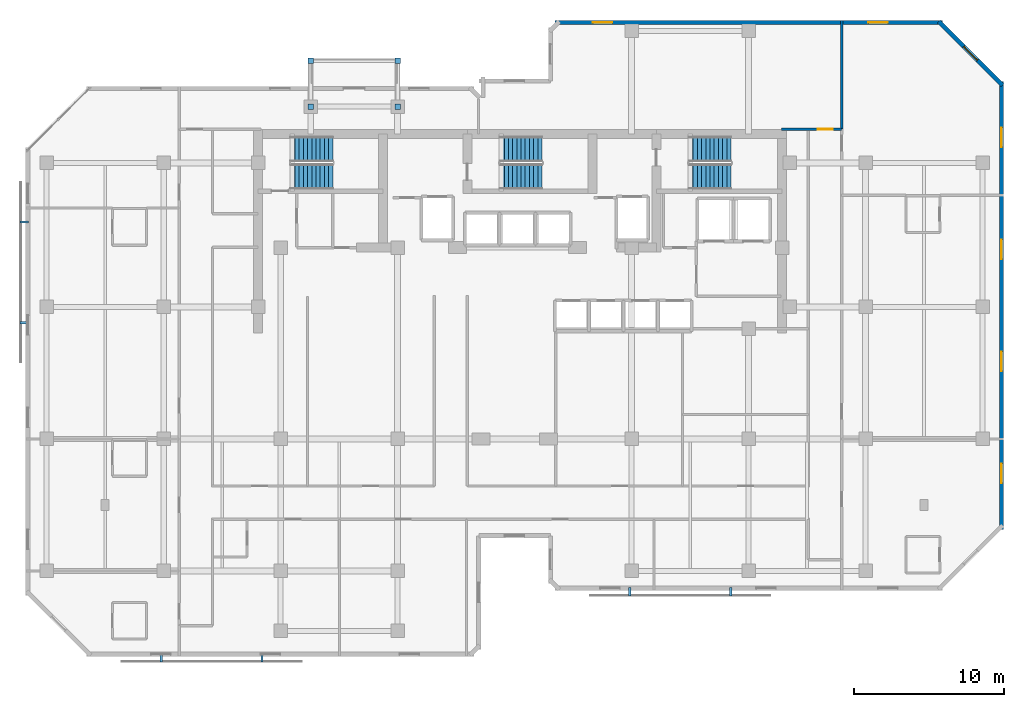
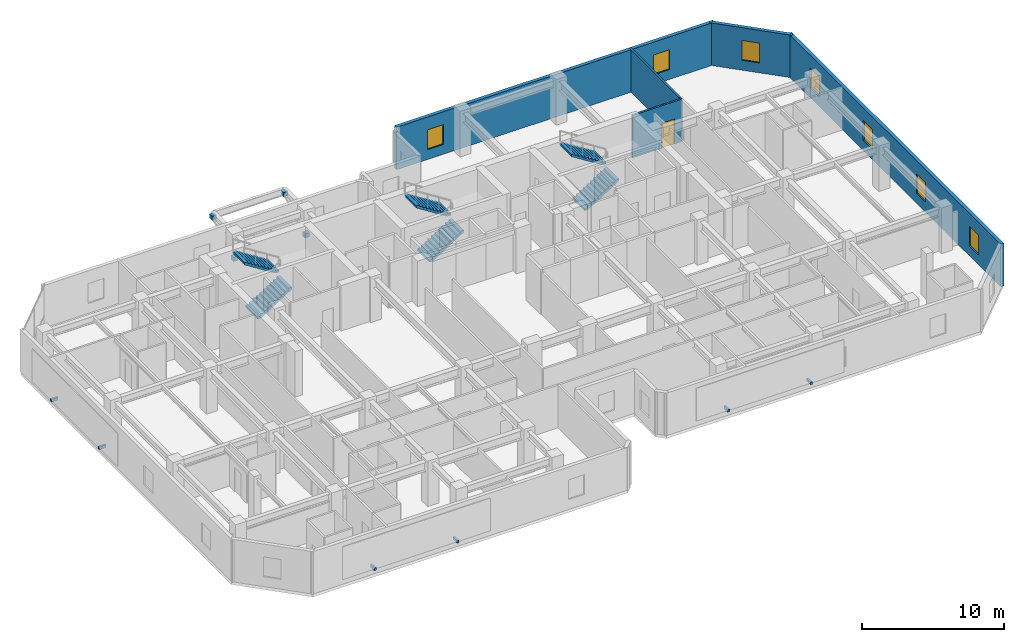
# One storey, part 8 of 10: 10 discrete accessories, 7 windows, 6 stair flights, 5 walls, 1 door, 8 openings, 3 elements without a shape of their own.
"""IFC4 building model written with IfcOpenShell, lengths in metres."""

from ifc_helpers import new_model, si_unit, direction, frame, frame_2d, origin, origin_2d, place, context, subcontext, project, spatial, polyline, rectangle, outline, extrude, material, layer, layer_set, type_object, element, fill, aggregate, save


model = new_model("IFC4")

# Units and contexts
model_context = context("Model", 3, precision=1e-05, world=origin(), true_north=direction((0.0, 1.0)))
body_context = subcontext(model_context, "Body", "Model", "MODEL_VIEW")
ifc_project = project(units=[si_unit("LENGTHUNIT", "METRE"), si_unit("AREAUNIT", "SQUARE_METRE"), si_unit("VOLUMEUNIT", "CUBIC_METRE"), si_unit("PLANEANGLEUNIT", "RADIAN"), si_unit("MASSUNIT", "GRAM", prefix="KILO")], contexts=[model_context])

# Site, building, storey
site_placement = place(None, origin())
site = spatial("IfcSite", under=ifc_project, at=site_placement, CompositionType="ELEMENT")
building_placement = place(site_placement, origin())
building = spatial("IfcBuilding", under=site, at=building_placement, Name="Kestravale Grand Hotel", CompositionType="ELEMENT")
storey_placement = place(building_placement, frame((0.0, 0.0, 212.39990234375)))
storey = spatial("IfcBuildingStorey", under=building, at=storey_placement, Name="L53", CompositionType="ELEMENT", Elevation=212.39990234375)

# Wall, openings, windows
ifc_material_1 = material(Name="Precast concrete f'c 45 MPa", Category="concrete")
ifc_layer_1 = layer(ifc_material_1, 0.280029296875)
ifc_layer_set_1 = layer_set([ifc_layer_1], Name="EW-PREC-280")
wall_type_1 = type_object("IfcWallType", Name="EW-PREC-280", PredefinedType="SOLIDWALL", material=ifc_layer_set_1)
wall_1_placement = place(storey_placement, frame((71.4599609375, 13.9599609375, 0.0), z_axis=(0.0, 0.0, 1.0), x_axis=(0.0, 1.0, 0.0)))
wall_1 = element("IfcWall", 1, at=wall_1_placement, inside=storey, type_object=wall_type_1, Name="L53 fluted precast facade wall 9", PredefinedType="SOLIDWALL", context=body_context, shape_type="SweptSolid", body=[
    extrude(rectangle(XDim=29.880126953125, YDim=0.280029296875, at=frame_2d((14.93994140625, 0.0))), origin(), (0.0, 0.0, 1.0), 3.650146484375),
])
opening_1_placement = place(wall_1_placement, frame((3.0849609375, 0.0, 0.85009765625)))
opening_1 = element("IfcOpeningElement", 2, at=opening_1_placement, cuts=wall_1, Name="Opening W-GUEST-1300", PredefinedType="OPENING", context=body_context, shape_type="SweptSolid", body=[
    extrude(rectangle(XDim=1.300048828125, YDim=1.699951171875, at=frame_2d((0.64990234375, 0.85009765625))), frame((0.0, 0.14990234375, 0.0), z_axis=(0.0, -1.0, 0.0), x_axis=(1.0, 0.0, 0.0)), (0.0, 0.0, 1.0), 0.300048828125),
])
opening_2_placement = place(wall_1_placement, frame((10.554931640625, 0.0, 0.85009765625)))
opening_2 = element("IfcOpeningElement", 3, at=opening_2_placement, cuts=wall_1, Name="Opening W-GUEST-1300", PredefinedType="OPENING", context=body_context, shape_type="SweptSolid", body=[
    extrude(rectangle(XDim=1.300048828125, YDim=1.699951171875, at=frame_2d((0.64990234375, 0.85009765625))), frame((0.0, 0.14990234375, 0.0), z_axis=(0.0, -1.0, 0.0), x_axis=(1.0, 0.0, 0.0)), (0.0, 0.0, 1.0), 0.300048828125),
])
opening_3_placement = place(wall_1_placement, frame((18.02490234375, 0.0, 0.85009765625)))
opening_3 = element("IfcOpeningElement", 4, at=opening_3_placement, cuts=wall_1, Name="Opening W-GUEST-1300", PredefinedType="OPENING", context=body_context, shape_type="SweptSolid", body=[
    extrude(rectangle(XDim=1.300048828125, YDim=1.699951171875, at=frame_2d((0.64990234375, 0.85009765625))), frame((0.0, 0.14990234375, 0.0), z_axis=(0.0, -1.0, 0.0), x_axis=(1.0, 0.0, 0.0)), (0.0, 0.0, 1.0), 0.300048828125),
])
opening_4_placement = place(wall_1_placement, frame((25.4951171875, 0.0, 0.85009765625)))
opening_4 = element("IfcOpeningElement", 5, at=opening_4_placement, cuts=wall_1, Name="Opening W-GUEST-1300", PredefinedType="OPENING", context=body_context, shape_type="SweptSolid", body=[
    extrude(rectangle(XDim=1.300048828125, YDim=1.699951171875, at=frame_2d((0.64990234375, 0.85009765625))), frame((0.0, 0.14990234375, 0.0), z_axis=(0.0, -1.0, 0.0), x_axis=(1.0, 0.0, 0.0)), (0.0, 0.0, 1.0), 0.300048828125),
])
ifc_material_2 = material(Name="Insulated low-E double glazing in aluminium frame", Category="aluminium")
window_type = type_object("IfcWindowType", Name="W-GUEST-1300", PartitioningType="SINGLE_PANEL", PredefinedType="WINDOW", material=ifc_material_2)
window_1_placement = place(opening_1_placement, origin())
window_1 = element("IfcWindow", 6, at=window_1_placement, inside=storey, type_object=window_type, Name="L53 exterior window 9.1", OverallHeight=1.699951171875, OverallWidth=1.300048828125, PartitioningType="SINGLE_PANEL", PredefinedType="WINDOW", context=body_context, shape_type="SweptSolid", body=[
    extrude(rectangle(XDim=1.300048828125, YDim=1.699951171875, at=frame_2d((0.64990234375, 0.85009765625))), frame((0.0, 0.030029296875, 0.0), z_axis=(0.0, -1.0, 0.0), x_axis=(1.0, 0.0, 0.0)), (0.0, 0.0, 1.0), 0.06005859375),
])
fill(opening_1, window_1)
window_2_placement = place(opening_2_placement, origin())
window_2 = element("IfcWindow", 7, at=window_2_placement, inside=storey, type_object=window_type, Name="L53 exterior window 9.2", OverallHeight=1.699951171875, OverallWidth=1.300048828125, PartitioningType="SINGLE_PANEL", PredefinedType="WINDOW", context=body_context, shape_type="SweptSolid", body=[
    extrude(rectangle(XDim=1.300048828125, YDim=1.699951171875, at=frame_2d((0.64990234375, 0.85009765625))), frame((0.0, 0.030029296875, 0.0), z_axis=(0.0, -1.0, 0.0), x_axis=(1.0, 0.0, 0.0)), (0.0, 0.0, 1.0), 0.06005859375),
])
fill(opening_2, window_2)
window_3_placement = place(opening_3_placement, origin())
window_3 = element("IfcWindow", 8, at=window_3_placement, inside=storey, type_object=window_type, Name="L53 exterior window 9.3", OverallHeight=1.699951171875, OverallWidth=1.300048828125, PartitioningType="SINGLE_PANEL", PredefinedType="WINDOW", context=body_context, shape_type="SweptSolid", body=[
    extrude(rectangle(XDim=1.300048828125, YDim=1.699951171875, at=frame_2d((0.64990234375, 0.85009765625))), frame((0.0, 0.030029296875, 0.0), z_axis=(0.0, -1.0, 0.0), x_axis=(1.0, 0.0, 0.0)), (0.0, 0.0, 1.0), 0.06005859375),
])
fill(opening_3, window_3)
window_4_placement = place(opening_4_placement, origin())
window_4 = element("IfcWindow", 9, at=window_4_placement, inside=storey, type_object=window_type, Name="L53 exterior window 9.4", OverallHeight=1.699951171875, OverallWidth=1.300048828125, PartitioningType="SINGLE_PANEL", PredefinedType="WINDOW", context=body_context, shape_type="SweptSolid", body=[
    extrude(rectangle(XDim=1.300048828125, YDim=1.699951171875, at=frame_2d((0.64990234375, 0.85009765625))), frame((0.0, 0.030029296875, 0.0), z_axis=(0.0, -1.0, 0.0), x_axis=(1.0, 0.0, 0.0)), (0.0, 0.0, 1.0), 0.06005859375),
])
fill(opening_4, window_4)

# Wall, opening, window
wall_2_placement = place(storey_placement, frame((71.529296875, 43.57275390625, 0.0), z_axis=(0.0, 0.0, 1.0), x_axis=(-0.707106781187, 0.707106781187, 0.0)))
wall_2 = element("IfcWall", 10, at=wall_2_placement, inside=storey, type_object=wall_type_1, Name="L53 fluted precast facade wall 10", PredefinedType="SOLIDWALL", context=body_context, shape_type="SweptSolid", body=[
    extrude(rectangle(XDim=6.019775390625, YDim=0.280029296875, at=frame_2d((3.009765625, 0.0))), origin(), (0.0, 0.0, 1.0), 3.650146484375),
])
opening_5_placement = place(wall_2_placement, frame((2.35986328125, 0.0, 0.85009765625)))
opening_5 = element("IfcOpeningElement", 11, at=opening_5_placement, cuts=wall_2, Name="Opening W-GUEST-1300", PredefinedType="OPENING", context=body_context, shape_type="SweptSolid", body=[
    extrude(rectangle(XDim=1.300048828125, YDim=1.699951171875, at=frame_2d((0.64990234375, 0.85009765625))), frame((0.0, 0.14990234375, 0.0), z_axis=(0.0, -1.0, 0.0), x_axis=(1.0, 0.0, 0.0)), (0.0, 0.0, 1.0), 0.300048828125),
])
window_5_placement = place(opening_5_placement, origin())
window_5 = element("IfcWindow", 12, at=window_5_placement, inside=storey, type_object=window_type, Name="L53 exterior window 10.1", OverallHeight=1.699951171875, OverallWidth=1.300048828125, PartitioningType="SINGLE_PANEL", PredefinedType="WINDOW", context=body_context, shape_type="SweptSolid", body=[
    extrude(rectangle(XDim=1.300048828125, YDim=1.699951171875, at=frame_2d((0.64990234375, 0.85009765625))), frame((0.0, 0.030029296875, 0.0), z_axis=(0.0, -1.0, 0.0), x_axis=(1.0, 0.0, 0.0)), (0.0, 0.0, 1.0), 0.06005859375),
])
fill(opening_5, window_5)

# Wall, openings, windows
wall_3_placement = place(storey_placement, frame((67.5400390625, 47.760009765625, 0.0), z_axis=(0.0, 0.0, 1.0), x_axis=(-1.0, 0.0, 0.0)))
wall_3 = element("IfcWall", 13, at=wall_3_placement, inside=storey, type_object=wall_type_1, Name="L53 fluted precast facade wall 11", PredefinedType="SOLIDWALL", context=body_context, shape_type="SweptSolid", body=[
    extrude(rectangle(XDim=25.830078125, YDim=0.280029296875, at=frame_2d((12.9150390625, 0.0))), origin(), (0.0, 0.0, 1.0), 3.650146484375),
])
opening_6_placement = place(wall_3_placement, frame((3.655029296875, 0.0, 0.85009765625)))
opening_6 = element("IfcOpeningElement", 14, at=opening_6_placement, cuts=wall_3, Name="Opening W-GUEST-1300", PredefinedType="OPENING", context=body_context, shape_type="SweptSolid", body=[
    extrude(rectangle(XDim=1.300048828125, YDim=1.699951171875, at=frame_2d((0.64990234375, 0.85009765625))), frame((0.0, 0.14990234375, 0.0), z_axis=(0.0, -1.0, 0.0), x_axis=(1.0, 0.0, 0.0)), (0.0, 0.0, 1.0), 0.300048828125),
])
opening_7_placement = place(wall_3_placement, frame((22.02490234375, 0.0, 0.85009765625)))
opening_7 = element("IfcOpeningElement", 15, at=opening_7_placement, cuts=wall_3, Name="Opening W-GUEST-1300", PredefinedType="OPENING", context=body_context, shape_type="SweptSolid", body=[
    extrude(rectangle(XDim=1.300048828125, YDim=1.699951171875, at=frame_2d((0.64990234375, 0.85009765625))), frame((0.0, 0.14990234375, 0.0), z_axis=(0.0, -1.0, 0.0), x_axis=(1.0, 0.0, 0.0)), (0.0, 0.0, 1.0), 0.300048828125),
])
window_6_placement = place(opening_6_placement, origin())
window_6 = element("IfcWindow", 16, at=window_6_placement, inside=storey, type_object=window_type, Name="L53 exterior window 11.1", OverallHeight=1.699951171875, OverallWidth=1.300048828125, PartitioningType="SINGLE_PANEL", PredefinedType="WINDOW", context=body_context, shape_type="SweptSolid", body=[
    extrude(rectangle(XDim=1.300048828125, YDim=1.699951171875, at=frame_2d((0.64990234375, 0.85009765625))), frame((0.0, 0.030029296875, 0.0), z_axis=(0.0, -1.0, 0.0), x_axis=(1.0, 0.0, 0.0)), (0.0, 0.0, 1.0), 0.06005859375),
])
fill(opening_6, window_6)
window_7_placement = place(opening_7_placement, origin())
window_7 = element("IfcWindow", 17, at=window_7_placement, inside=storey, type_object=window_type, Name="L53 exterior window 11.2", OverallHeight=1.699951171875, OverallWidth=1.300048828125, PartitioningType="SINGLE_PANEL", PredefinedType="WINDOW", context=body_context, shape_type="SweptSolid", body=[
    extrude(rectangle(XDim=1.300048828125, YDim=1.699951171875, at=frame_2d((0.64990234375, 0.85009765625))), frame((0.0, 0.030029296875, 0.0), z_axis=(0.0, -1.0, 0.0), x_axis=(1.0, 0.0, 0.0)), (0.0, 0.0, 1.0), 0.06005859375),
])
fill(opening_7, window_7)

# Wall, opening, door
ifc_material_3 = material(Name="Double-stud STC 52 acoustic demising partition", Category="other")
ifc_layer_2 = layer(ifc_material_3, 0.14990234375)
ifc_layer_set_2 = layer_set([ifc_layer_2], Name="IW-UNIT-150")
wall_type_2 = type_object("IfcWallType", Name="IW-UNIT-150", PredefinedType="PARTITIONING", material=ifc_layer_set_2)
wall_4_placement = place(storey_placement, frame((56.800048828125, 40.64990234375, 0.0), z_axis=(0.0, 0.0, 1.0), x_axis=(1.0, 0.0, 0.0)))
wall_4 = element("IfcWall", 18, at=wall_4_placement, inside=storey, type_object=wall_type_2, Name="W-L53-SE-N", PredefinedType="PARTITIONING", context=body_context, shape_type="SweptSolid", body=[
    extrude(rectangle(XDim=4.010009765625, YDim=0.14990234375, at=frame_2d((2.0048828125, 0.0))), origin(), (0.0, 0.0, 1.0), 3.650146484375),
])
opening_8_placement = place(wall_4_placement, frame((2.39990234375, 0.0, 0.0)))
opening_8 = element("IfcOpeningElement", 19, at=opening_8_placement, cuts=wall_4, Name="Opening D-GUEST-1000", PredefinedType="OPENING", context=body_context, shape_type="SweptSolid", body=[
    extrude(rectangle(XDim=1.0, YDim=2.14990234375, at=frame_2d((0.5, 1.074951171875))), frame((0.0, 0.0849609375, 0.0), z_axis=(0.0, -1.0, 0.0), x_axis=(1.0, 0.0, 0.0)), (0.0, 0.0, 1.0), 0.169921875),
])
ifc_material_4 = material(Name="Accessible walnut veneer hotel entrance fire door", Category="wood")
door_type = type_object("IfcDoorType", Name="D-GUEST-1000", OperationType="NOTDEFINED", PredefinedType="DOOR", material=ifc_material_4)
door_placement = place(opening_8_placement, origin())
door = element("IfcDoor", 20, at=door_placement, inside=storey, type_object=door_type, Name="L53 NE Gallery Door", OperationType="SINGLE_SWING_LEFT", OverallHeight=2.14990234375, OverallWidth=1.0, PredefinedType="DOOR", context=body_context, shape_type="SweptSolid", body=[
    extrude(rectangle(XDim=1.0, YDim=2.14990234375, at=frame_2d((0.5, 1.074951171875))), frame((0.0, 0.02490234375, 0.0), z_axis=(0.0, -1.0, 0.0), x_axis=(1.0, 0.0, 0.0)), (0.0, 0.0, 1.0), 0.050048828125),
])
fill(opening_8, door)

# Wall
wall_5_placement = place(storey_placement, frame((60.81005859375, 40.64990234375, 0.0), z_axis=(0.0, 0.0, 1.0), x_axis=(0.0, 1.0, 0.0)))
element("IfcWall", 21, at=wall_5_placement, inside=storey, type_object=wall_type_2, Name="W-L53-NGE-E", PredefinedType="PARTITIONING", context=body_context, shape_type="SweptSolid", body=[
    extrude(rectangle(XDim=7.22998046875, YDim=0.14990234375, at=frame_2d((3.614990234375, 0.0))), origin(), (0.0, 0.0, 1.0), 3.650146484375),
])

# Stair, stair flights
ifc_material_5 = material(Name="Concrete f'c 45 MPa", Category="concrete")
stair_type = type_object("IfcStairType", Name="ST-CORE-390", PredefinedType="HALF_TURN_STAIR", material=ifc_material_5)
stair_1_placement = place(storey_placement, origin())
stair_1 = element("IfcStair", 22, at=stair_1_placement, inside=storey, type_object=stair_type, Name="L53 ST-1", PredefinedType="HALF_TURN_STAIR")
ifc_material_6 = material(Name="Concrete f'c 45 MPa", Category="concrete")
stair_flight_type = type_object("IfcStairFlightType", Name="STF-CORE-390", PredefinedType="STRAIGHT", material=ifc_material_6)
stair_flight_1_placement = place(storey_placement, frame((24.080078125, 37.489990234375, 0.0), z_axis=(0.0, 0.0, 1.0), x_axis=(1.0, 0.0, 0.0)))
stair_flight_1 = element("IfcStairFlight", 23, at=stair_flight_1_placement, type_object=stair_flight_type, Name="ST-1 flight 1", NumberOfRisers=11, NumberOfTreads=10, PredefinedType="STRAIGHT", RiserHeight=0.177272727, TreadLength=0.28, context=body_context, shape_type="SweptSolid", body=[
    extrude(outline(polyline([(0.0, 0.0), (0.0, 0.17724609375), (0.280029296875, 0.17724609375), (0.280029296875, 0.3544921875), (0.56005859375, 0.3544921875), (0.56005859375, 0.53173828125), (0.840087890625, 0.53173828125), (0.840087890625, 0.708984375), (1.1201171875, 0.708984375), (1.1201171875, 0.886474609375), (1.39990234375, 0.886474609375), (1.39990234375, 1.063720703125), (1.679931640625, 1.063720703125), (1.679931640625, 1.240966796875), (1.9599609375, 1.240966796875), (1.9599609375, 1.418212890625), (2.239990234375, 1.418212890625), (2.239990234375, 1.595458984375), (2.52001953125, 1.595458984375), (2.52001953125, 1.772705078125), (2.800048828125, 1.772705078125), (2.800048828125, 1.949951171875), (2.800048828125, 1.59521484375), (0.2802734375, 0.0), (0.0, 0.0)])), frame((0.0, 0.83984375, 0.0), z_axis=(0.0, -1.0, 0.0), x_axis=(1.0, 0.0, 0.0)), (0.0, 0.0, 1.0), 1.679931640625),
])
stair_flight_2_placement = place(storey_placement, frame((26.8798828125, 39.320068359375, 1.9501953125), z_axis=(0.0, 0.0, 1.0), x_axis=(-1.0, 0.0, 0.0)))
stair_flight_2 = element("IfcStairFlight", 24, at=stair_flight_2_placement, type_object=stair_flight_type, Name="ST-1 flight 2", NumberOfRisers=11, NumberOfTreads=10, PredefinedType="STRAIGHT", RiserHeight=0.177272727, TreadLength=0.28, context=body_context, shape_type="SweptSolid", body=[
    extrude(outline(polyline([(0.0, 0.0), (0.0, 0.17724609375), (0.280029296875, 0.17724609375), (0.280029296875, 0.3544921875), (0.56005859375, 0.3544921875), (0.56005859375, 0.53173828125), (0.840087890625, 0.53173828125), (0.840087890625, 0.708984375), (1.1201171875, 0.708984375), (1.1201171875, 0.886474609375), (1.39990234375, 0.886474609375), (1.39990234375, 1.063720703125), (1.679931640625, 1.063720703125), (1.679931640625, 1.240966796875), (1.9599609375, 1.240966796875), (1.9599609375, 1.418212890625), (2.239990234375, 1.418212890625), (2.239990234375, 1.595458984375), (2.52001953125, 1.595458984375), (2.52001953125, 1.772705078125), (2.800048828125, 1.772705078125), (2.800048828125, 1.949951171875), (2.800048828125, 1.59521484375), (0.2802734375, 0.0), (0.0, 0.0)])), frame((0.0, 0.83984375, 0.0), z_axis=(0.0, -1.0, 0.0), x_axis=(1.0, 0.0, 0.0)), (0.0, 0.0, 1.0), 1.679931640625),
])
aggregate(stair_1, [stair_flight_1, stair_flight_2])

stair_2_placement = place(storey_placement, origin())
stair_2 = element("IfcStair", 25, at=stair_2_placement, inside=storey, type_object=stair_type, Name="L53 ST-2", PredefinedType="HALF_TURN_STAIR")
stair_flight_3_placement = place(storey_placement, frame((38.030029296875, 37.489990234375, 0.0), z_axis=(0.0, 0.0, 1.0), x_axis=(1.0, 0.0, 0.0)))
stair_flight_3 = element("IfcStairFlight", 26, at=stair_flight_3_placement, type_object=stair_flight_type, Name="ST-2 flight 1", NumberOfRisers=11, NumberOfTreads=10, PredefinedType="STRAIGHT", RiserHeight=0.177272727, TreadLength=0.28, context=body_context, shape_type="SweptSolid", body=[
    extrude(outline(polyline([(0.0, 0.0), (0.0, 0.17724609375), (0.280029296875, 0.17724609375), (0.280029296875, 0.3544921875), (0.56005859375, 0.3544921875), (0.56005859375, 0.53173828125), (0.840087890625, 0.53173828125), (0.840087890625, 0.708984375), (1.1201171875, 0.708984375), (1.1201171875, 0.886474609375), (1.39990234375, 0.886474609375), (1.39990234375, 1.063720703125), (1.679931640625, 1.063720703125), (1.679931640625, 1.240966796875), (1.9599609375, 1.240966796875), (1.9599609375, 1.418212890625), (2.239990234375, 1.418212890625), (2.239990234375, 1.595458984375), (2.52001953125, 1.595458984375), (2.52001953125, 1.772705078125), (2.800048828125, 1.772705078125), (2.800048828125, 1.949951171875), (2.800048828125, 1.59521484375), (0.2802734375, 0.0), (0.0, 0.0)])), frame((0.0, 0.83984375, 0.0), z_axis=(0.0, -1.0, 0.0), x_axis=(1.0, 0.0, 0.0)), (0.0, 0.0, 1.0), 1.679931640625),
])
stair_flight_4_placement = place(storey_placement, frame((40.830078125, 39.320068359375, 1.9501953125), z_axis=(0.0, 0.0, 1.0), x_axis=(-1.0, 0.0, 0.0)))
stair_flight_4 = element("IfcStairFlight", 27, at=stair_flight_4_placement, type_object=stair_flight_type, Name="ST-2 flight 2", NumberOfRisers=11, NumberOfTreads=10, PredefinedType="STRAIGHT", RiserHeight=0.177272727, TreadLength=0.28, context=body_context, shape_type="SweptSolid", body=[
    extrude(outline(polyline([(0.0, 0.0), (0.0, 0.17724609375), (0.280029296875, 0.17724609375), (0.280029296875, 0.3544921875), (0.56005859375, 0.3544921875), (0.56005859375, 0.53173828125), (0.840087890625, 0.53173828125), (0.840087890625, 0.708984375), (1.1201171875, 0.708984375), (1.1201171875, 0.886474609375), (1.39990234375, 0.886474609375), (1.39990234375, 1.063720703125), (1.679931640625, 1.063720703125), (1.679931640625, 1.240966796875), (1.9599609375, 1.240966796875), (1.9599609375, 1.418212890625), (2.239990234375, 1.418212890625), (2.239990234375, 1.595458984375), (2.52001953125, 1.595458984375), (2.52001953125, 1.772705078125), (2.800048828125, 1.772705078125), (2.800048828125, 1.949951171875), (2.800048828125, 1.59521484375), (0.2802734375, 0.0), (0.0, 0.0)])), frame((0.0, 0.83984375, 0.0), z_axis=(0.0, -1.0, 0.0), x_axis=(1.0, 0.0, 0.0)), (0.0, 0.0, 1.0), 1.679931640625),
])
aggregate(stair_2, [stair_flight_3, stair_flight_4])

stair_3_placement = place(storey_placement, origin())
stair_3 = element("IfcStair", 28, at=stair_3_placement, inside=storey, type_object=stair_type, Name="L53 ST-3", PredefinedType="HALF_TURN_STAIR")
stair_flight_5_placement = place(storey_placement, frame((50.6298828125, 37.489990234375, 0.0), z_axis=(0.0, 0.0, 1.0), x_axis=(1.0, 0.0, 0.0)))
stair_flight_5 = element("IfcStairFlight", 29, at=stair_flight_5_placement, type_object=stair_flight_type, Name="ST-3 flight 1", NumberOfRisers=11, NumberOfTreads=10, PredefinedType="STRAIGHT", RiserHeight=0.177272727, TreadLength=0.28, context=body_context, shape_type="SweptSolid", body=[
    extrude(outline(polyline([(0.0, 0.0), (0.0, 0.17724609375), (0.280029296875, 0.17724609375), (0.280029296875, 0.3544921875), (0.56005859375, 0.3544921875), (0.56005859375, 0.53173828125), (0.840087890625, 0.53173828125), (0.840087890625, 0.708984375), (1.1201171875, 0.708984375), (1.1201171875, 0.886474609375), (1.39990234375, 0.886474609375), (1.39990234375, 1.063720703125), (1.679931640625, 1.063720703125), (1.679931640625, 1.240966796875), (1.9599609375, 1.240966796875), (1.9599609375, 1.418212890625), (2.239990234375, 1.418212890625), (2.239990234375, 1.595458984375), (2.52001953125, 1.595458984375), (2.52001953125, 1.772705078125), (2.800048828125, 1.772705078125), (2.800048828125, 1.949951171875), (2.800048828125, 1.59521484375), (0.2802734375, 0.0), (0.0, 0.0)])), frame((0.0, 0.83984375, 0.0), z_axis=(0.0, -1.0, 0.0), x_axis=(1.0, 0.0, 0.0)), (0.0, 0.0, 1.0), 1.679931640625),
])
stair_flight_6_placement = place(storey_placement, frame((53.429931640625, 39.320068359375, 1.9501953125), z_axis=(0.0, 0.0, 1.0), x_axis=(-1.0, 0.0, 0.0)))
stair_flight_6 = element("IfcStairFlight", 30, at=stair_flight_6_placement, type_object=stair_flight_type, Name="ST-3 flight 2", NumberOfRisers=11, NumberOfTreads=10, PredefinedType="STRAIGHT", RiserHeight=0.177272727, TreadLength=0.28, context=body_context, shape_type="SweptSolid", body=[
    extrude(outline(polyline([(0.0, 0.0), (0.0, 0.17724609375), (0.280029296875, 0.17724609375), (0.280029296875, 0.3544921875), (0.56005859375, 0.3544921875), (0.56005859375, 0.53173828125), (0.840087890625, 0.53173828125), (0.840087890625, 0.708984375), (1.1201171875, 0.708984375), (1.1201171875, 0.886474609375), (1.39990234375, 0.886474609375), (1.39990234375, 1.063720703125), (1.679931640625, 1.063720703125), (1.679931640625, 1.240966796875), (1.9599609375, 1.240966796875), (1.9599609375, 1.418212890625), (2.239990234375, 1.418212890625), (2.239990234375, 1.595458984375), (2.52001953125, 1.595458984375), (2.52001953125, 1.772705078125), (2.800048828125, 1.772705078125), (2.800048828125, 1.949951171875), (2.800048828125, 1.59521484375), (0.2802734375, 0.0), (0.0, 0.0)])), frame((0.0, 0.83984375, 0.0), z_axis=(0.0, -1.0, 0.0), x_axis=(1.0, 0.0, 0.0)), (0.0, 0.0, 1.0), 1.679931640625),
])
aggregate(stair_3, [stair_flight_5, stair_flight_6])

# Discrete accessories
ifc_material_7 = material(Name="Steel ASTM A572 Grade 50 hot-dip galvanised bracket", Category="steel")
discrete_accessory_type = type_object("IfcDiscreteAccessoryType", Name="ACC-BRK-STL", PredefinedType="BRACKET", material=ifc_material_7)
for number, where, z_axis, x_axis, name in (
    (31, (25.39990234375, 42.14990234375, 1.2939453125), (0.0, 0.0, 1.0), (1.0, 0.0, 0.0), "L54 terrace strut column bracket 1"),
    (32, (25.39990234375, 45.199951171875, 2.994140625), (0.0, 0.0, 1.0), (1.0, 0.0, 0.0), "L54 terrace strut beam bracket 1"),
    (33, (31.199951171875, 42.14990234375, 1.2939453125), (0.0, 0.0, 1.0), (1.0, 0.0, 0.0), "L54 terrace strut column bracket 2"),
    (34, (31.199951171875, 45.199951171875, 2.994140625), (0.0, 0.0, 1.0), (1.0, 0.0, 0.0), "L54 terrace strut beam bracket 2"),
):
    element("IfcDiscreteAccessory", number, at=place(storey_placement, frame(where, z_axis=z_axis, x_axis=x_axis)), inside=storey, type_object=discrete_accessory_type, Name=name, PredefinedType="BRACKET", context=body_context, shape_type="SweptSolid", body=[
        extrude(rectangle(XDim=0.360107421875, YDim=0.360107421875, at=origin_2d()), origin(), (0.0, 0.0, 1.0), 0.360107421875),
    ])
for number, where, z_axis, x_axis, name in (
    (35, (15.43994140625, 5.405029296875, 0.56005859375), (0.0, 0.0, 1.0), (1.0, 0.0, 0.0), "L53 solar screen standoff bracket 1"),
    (36, (22.159912109375, 5.405029296875, 0.56005859375), (0.0, 0.0, 1.0), (1.0, 0.0, 0.0), "L53 solar screen standoff bracket 2"),
    (37, (46.68994140625, 9.804931640625, 0.56005859375), (0.0, 0.0, 1.0), (1.0, 0.0, 0.0), "L53 solar screen standoff bracket 1"),
    (38, (53.409912109375, 9.804931640625, 0.56005859375), (0.0, 0.0, 1.0), (1.0, 0.0, 0.0), "L53 solar screen standoff bracket 2"),
    (39, (6.304931640625, 34.4599609375, 0.56005859375), (0.0, 0.0, 1.0), (0.0, -1.0, 0.0), "L53 solar screen standoff bracket 1"),
    (40, (6.304931640625, 27.739990234375, 0.56005859375), (0.0, 0.0, 1.0), (0.0, -1.0, 0.0), "L53 solar screen standoff bracket 2"),
):
    element("IfcDiscreteAccessory", number, at=place(storey_placement, frame(where, z_axis=z_axis, x_axis=x_axis)), inside=storey, type_object=discrete_accessory_type, Name=name, PredefinedType="BRACKET", context=body_context, shape_type="SweptSolid", body=[
        extrude(rectangle(XDim=0.159912109375, YDim=0.56005859375, at=origin_2d()), origin(), (0.0, 0.0, 1.0), 0.239990234375),
    ])

save(model, "model.ifc")
